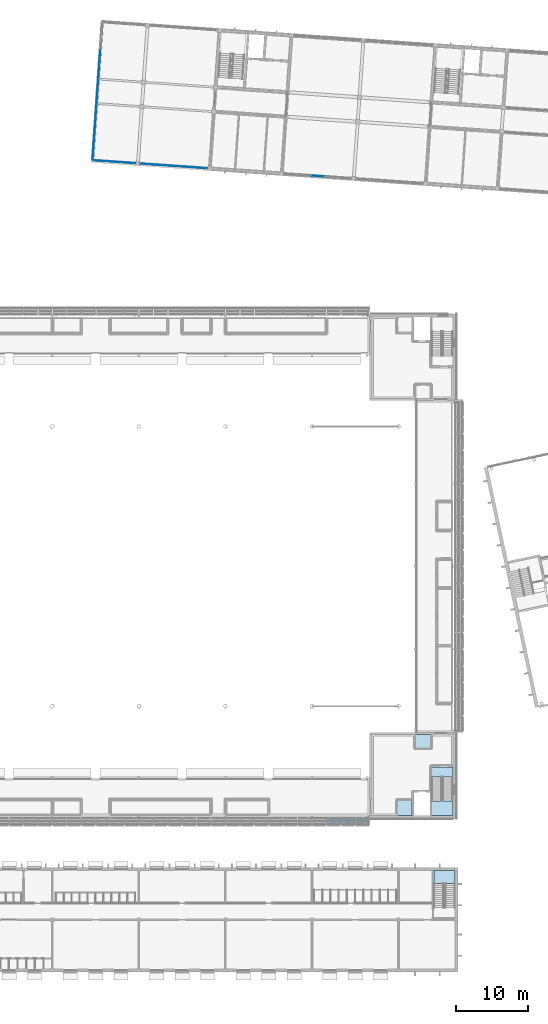
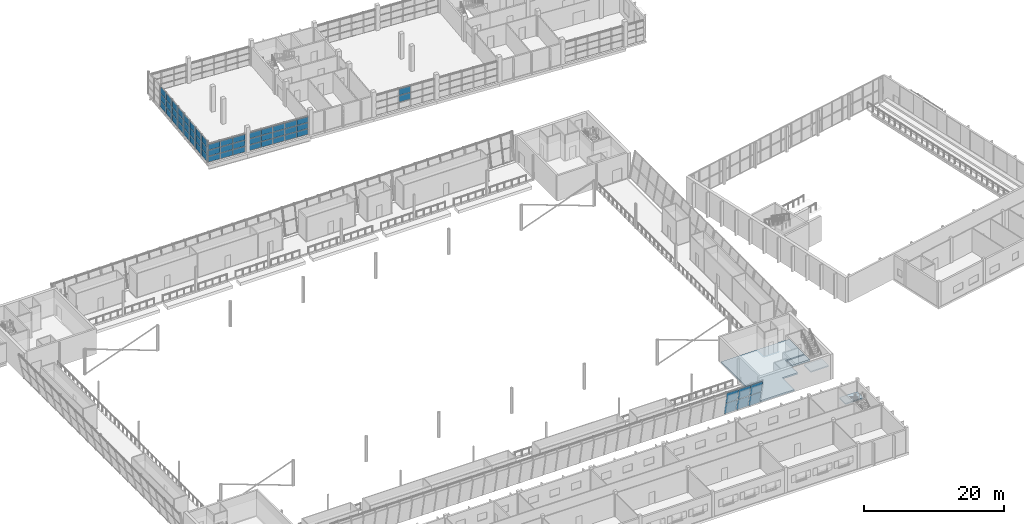
# One storey, part 54 of 115: 56 plates, 4 slabs, 7 elements without a shape of their own.
"""IFC4 building model written with IfcOpenShell, lengths in metres."""

from ifc_helpers import new_model, si_unit, direction, frame, origin, origin_2d, place, context, subcontext, project, spatial, polyline, rectangle, outline, extrude, material, layer, layer_set, type_object, element, aggregate, save


model = new_model("IFC4")

# Units and contexts
model_context = context("Model", 3, precision=1e-05, world=origin(), true_north=direction((0.0, 1.0)))
body_context = subcontext(model_context, "Body", "Model", "MODEL_VIEW")
ifc_project = project(units=[si_unit("LENGTHUNIT", "METRE"), si_unit("AREAUNIT", "SQUARE_METRE"), si_unit("VOLUMEUNIT", "CUBIC_METRE"), si_unit("PLANEANGLEUNIT", "RADIAN"), si_unit("MASSUNIT", "GRAM", prefix="KILO")], contexts=[model_context])

# Site, building, storey
site_placement = place(None, origin())
site = spatial("IfcSite", under=ifc_project, at=site_placement, CompositionType="ELEMENT")
building_placement = place(site_placement, origin())
building = spatial("IfcBuilding", under=site, at=building_placement, Name="Windward Yard Aquatics Centre", CompositionType="ELEMENT")
storey_placement = place(building_placement, frame((0.0, 0.0, 5.0)))
storey = spatial("IfcBuildingStorey", under=building, at=storey_placement, Name="L01", CompositionType="ELEMENT", Elevation=5.0)

# Stair, slab
ifc_material_1 = material(Name="Concrete C35/45", Category="concrete")
stair_type_1 = type_object("IfcStairType", Name="C Village stair 2 dog-leg stair", PredefinedType="HALF_TURN_STAIR", material=ifc_material_1)
stair_1_placement = place(storey_placement, origin())
stair_1 = element("IfcStair", 1, at=stair_1_placement, inside=storey, type_object=stair_type_1, Name="L01 Village stair 2", PredefinedType="HALF_TURN_STAIR")
ifc_layer_1 = layer(ifc_material_1, 0.199951171875)
ifc_layer_set_1 = layer_set([ifc_layer_1], Name="C Village stair 2 stair landing 200")
slab_type_1 = type_object("IfcSlabType", Name="C Village stair 2 stair landing 200", PredefinedType="LANDING", material=ifc_layer_set_1)
slab_1_placement = place(storey_placement, frame((0.0, 0.0, 2.0)))
slab_1 = element("IfcSlab", 2, at=slab_1_placement, type_object=slab_type_1, Name="C-ST2 landing 1", PredefinedType="LANDING", context=body_context, shape_type="SweptSolid", body=[
    extrude(outline(polyline([(148.89990234375, 17.050048828125), (151.85009765625, 17.050048828125), (151.85009765625, 18.800048828125), (148.89990234375, 18.800048828125), (148.89990234375, 17.050048828125)])), origin(), (0.0, 0.0, 1.0), 0.199951171875),
])
aggregate(stair_1, [slab_1])

# Slabs
ifc_layer_2 = layer(ifc_material_1, 0.25)
ifc_layer_set_2 = layer_set([ifc_layer_2], Name="H Core Floor Concrete C35/45 250")
slab_type_2 = type_object("IfcSlabType", Name="H Core Floor Concrete C35/45 250", PredefinedType="FLOOR", material=ifc_layer_set_2)
slab_2_placement = place(storey_placement, frame((0.0, 0.0, -0.25)))
element("IfcSlab", 3, at=slab_2_placement, inside=storey, type_object=slab_type_2, Name="L01 core floor SE", PredefinedType="FLOOR", context=body_context, shape_type="SweptSolid", body=[
    extrude(outline(polyline([(140.300048828125, 26.449951171875), (145.89990234375, 26.449951171875), (145.89990234375, 29.85009765625), (148.39990234375, 29.85009765625), (148.39990234375, 33.39990234375), (151.550048828125, 33.39990234375), (151.550048828125, 37.699951171875), (140.300048828125, 37.699951171875), (140.300048828125, 26.449951171875)])), origin(), (0.0, 0.0, 1.0), 0.25),
])
slab_3_placement = place(storey_placement, frame((0.0, 0.0, -0.25)))
element("IfcSlab", 4, at=slab_3_placement, inside=storey, type_object=slab_type_2, Name="L01 stair floor landing SE", PredefinedType="FLOOR", context=body_context, shape_type="SweptSolid", body=[
    extrude(outline(polyline([(148.60009765625, 31.800048828125), (151.550048828125, 31.800048828125), (151.550048828125, 33.199951171875), (148.60009765625, 33.199951171875), (148.60009765625, 31.800048828125)])), origin(), (0.0, 0.0, 1.0), 0.25),
])

# Stair, slab
stair_type_2 = type_object("IfcStairType", Name="H Core Stair Concrete C35/45 1400", PredefinedType="HALF_TURN_STAIR", material=ifc_material_1)
stair_2_placement = place(storey_placement, origin())
stair_2 = element("IfcStair", 5, at=stair_2_placement, inside=storey, type_object=stair_type_2, Name="L01 Stair SE", PredefinedType="HALF_TURN_STAIR")
ifc_layer_3 = layer(ifc_material_1, 0.199951171875)
ifc_layer_set_3 = layer_set([ifc_layer_3], Name="H Stair Landing Concrete C35/45 200")
slab_type_3 = type_object("IfcSlabType", Name="H Stair Landing Concrete C35/45 200", PredefinedType="LANDING", material=ifc_layer_set_3)
slab_4_placement = place(storey_placement, frame((0.0, 0.0, 2.0)))
slab_4 = element("IfcSlab", 6, at=slab_4_placement, type_object=slab_type_3, Name="ST2 landing 1", PredefinedType="LANDING", context=body_context, shape_type="SweptSolid", body=[
    extrude(outline(polyline([(148.60009765625, 26.449951171875), (151.550048828125, 26.449951171875), (151.550048828125, 28.43994140625), (148.60009765625, 28.43994140625), (148.60009765625, 26.449951171875)])), origin(), (0.0, 0.0, 1.0), 0.199951171875),
])
aggregate(stair_2, [slab_4])

# Curtain wall, plates
ifc_material_2 = material(Name="Glass and aluminium curtain wall", Category="aluminium")
ifc_layer_4 = layer(ifc_material_2, 0.179931640625)
ifc_layer_set_4 = layer_set([ifc_layer_4], Name="H curtain wall tier 1 double glazed 8+16+8")
curtain_wall_type_1 = type_object("IfcCurtainWallType", Name="H curtain wall tier 1 double glazed 8+16+8", PredefinedType="NOTDEFINED", material=ifc_layer_set_4)
curtain_wall_1_placement = place(storey_placement, origin())
curtain_wall_1 = element("IfcCurtainWall", 7, at=curtain_wall_1_placement, inside=storey, type_object=curtain_wall_type_1, Name="Tier 1 glazing S L01", PredefinedType="NOTDEFINED")
ifc_material_3 = material(Name="Low-iron glass", Category="glass")
ifc_layer_5 = layer(ifc_material_3, 0.008, Name="Outer pane")
ifc_material_4 = material(Name="Argon-filled cavity")
ifc_layer_6 = layer(ifc_material_4, 0.016, Name="Cavity")
ifc_layer_7 = layer(ifc_material_3, 0.008, Name="Inner pane")
ifc_layer_set_5 = layer_set([ifc_layer_5, ifc_layer_6, ifc_layer_7], Name="H tier 1 glass low-e double glazed unit 32")
plate_type_1 = type_object("IfcPlateType", Name="H tier 1 glass low-e double glazed unit 32", PredefinedType="CURTAIN_PANEL", material=ifc_layer_set_5)
plate_1_placement = place(storey_placement, frame((134.033203125, 25.669921875, 2.154296875), z_axis=(0.0, 0.979937049238, 0.19930724907), x_axis=(0.0, 0.19930724907, -0.979937049238)))
plate_1 = element("IfcPlate", 8, at=plate_1_placement, type_object=plate_type_1, Name="G1SB panel 17.1", PredefinedType="CURTAIN_PANEL", context=body_context, shape_type="SweptSolid", body=[
    extrude(outline(polyline([(0.0, 0.0), (2.088533, 0.0), (2.088533, -1.934814), (0.0, -1.934814), (0.0, 0.0)])), origin(), (0.0, 0.0, -1.0), 0.031982421875),
])
plate_2_placement = place(storey_placement, frame((134.033203125, 25.232177734375, 4.30517578125), z_axis=(0.0, 0.979920842931, 0.199386914289), x_axis=(0.0, 0.199386914289, -0.979920842931)))
plate_2 = element("IfcPlate", 9, at=plate_2_placement, type_object=plate_type_1, Name="G1SB panel 17.2", PredefinedType="CURTAIN_PANEL", context=body_context, shape_type="SweptSolid", body=[
    extrude(outline(polyline([(0.0, 0.0), (2.095045, 0.0), (2.095045, -1.934814), (0.0, -1.934814), (0.0, 0.0)])), origin(), (0.0, 0.0, -1.0), 0.031982421875),
])
plate_3_placement = place(storey_placement, frame((136.032958984375, 25.669921875, 2.154296875), z_axis=(0.0, 0.979937049238, 0.19930724907), x_axis=(0.0, 0.19930724907, -0.979937049238)))
plate_3 = element("IfcPlate", 10, at=plate_3_placement, type_object=plate_type_1, Name="G1SB panel 18.1", PredefinedType="CURTAIN_PANEL", context=body_context, shape_type="SweptSolid", body=[
    extrude(outline(polyline([(0.0, 0.0), (2.088533, 0.0), (2.088533, -1.934814), (0.0, -1.934814), (0.0, 0.0)])), origin(), (0.0, 0.0, -1.0), 0.031982421875),
])
plate_4_placement = place(storey_placement, frame((136.032958984375, 25.232177734375, 4.30517578125), z_axis=(0.0, 0.979920842931, 0.199386914289), x_axis=(0.0, 0.199386914289, -0.979920842931)))
plate_4 = element("IfcPlate", 11, at=plate_4_placement, type_object=plate_type_1, Name="G1SB panel 18.2", PredefinedType="CURTAIN_PANEL", context=body_context, shape_type="SweptSolid", body=[
    extrude(outline(polyline([(0.0, 0.0), (2.095045, 0.0), (2.095045, -1.934814), (0.0, -1.934814), (0.0, 0.0)])), origin(), (0.0, 0.0, -1.0), 0.031982421875),
])
plate_5_placement = place(storey_placement, frame((138.03271484375, 25.669921875, 2.154296875), z_axis=(0.0, 0.979937049238, 0.19930724907), x_axis=(0.0, 0.19930724907, -0.979937049238)))
plate_5 = element("IfcPlate", 12, at=plate_5_placement, type_object=plate_type_1, Name="G1SB panel 19.1", PredefinedType="CURTAIN_PANEL", context=body_context, shape_type="SweptSolid", body=[
    extrude(outline(polyline([(0.0, 0.0), (2.088533, 0.0), (2.088533, -1.902344), (0.0, -1.902344), (0.0, 0.0)])), origin(), (0.0, 0.0, -1.0), 0.031982421875),
])
plate_6_placement = place(storey_placement, frame((138.03271484375, 25.232177734375, 4.30517578125), z_axis=(0.0, 0.979920842931, 0.199386914289), x_axis=(0.0, 0.199386914289, -0.979920842931)))
plate_6 = element("IfcPlate", 13, at=plate_6_placement, type_object=plate_type_1, Name="G1SB panel 19.2", PredefinedType="CURTAIN_PANEL", context=body_context, shape_type="SweptSolid", body=[
    extrude(outline(polyline([(0.0, 0.0), (2.095045, 0.0), (2.095045, -1.902344), (0.0, -1.902344), (0.0, 0.0)])), origin(), (0.0, 0.0, -1.0), 0.031982421875),
])
aggregate(curtain_wall_1, [plate_1, plate_2, plate_3, plate_4, plate_5, plate_6])

ifc_material_5 = material(Name="Aluminium curtain wall system", Category="aluminium")
curtain_wall_type_2 = type_object("IfcCurtainWallType", Name="W curtain wall 1900", PredefinedType="NOTDEFINED", material=ifc_material_5)
curtain_wall_2_placement = place(storey_placement, origin())
curtain_wall_2 = element("IfcCurtainWall", 14, at=curtain_wall_2_placement, inside=storey, type_object=curtain_wall_type_2, Name="Wing south glazing L01 1", PredefinedType="NOTDEFINED")
ifc_material_6 = material(Name="Double glazed unit")
ifc_layer_8 = layer(ifc_material_6, 0.028076171875)
ifc_layer_set_6 = layer_set([ifc_layer_8], Name="W CW panel IGU 28")
plate_type_2 = type_object("IfcPlateType", Name="W CW panel IGU 28", PredefinedType="CURTAIN_PANEL", material=ifc_layer_set_6)
plate_7_placement = place(storey_placement, frame((102.591064453125, 117.23388671875, 0.06005859375), z_axis=(0.0, 0.0, 1.0), x_axis=(0.997563353653, -0.069766434969, 0.0)))
plate_7 = element("IfcPlate", 15, at=plate_7_placement, type_object=plate_type_2, Name="WCW1 panel 1.1", PredefinedType="CURTAIN_PANEL", context=body_context, shape_type="SweptSolid", body=[
    extrude(rectangle(XDim=1.909912109375, YDim=0.028076171875, at=origin_2d()), origin(), (0.0, 0.0, 1.0), 0.978759765625),
])
plate_8_placement = place(storey_placement, frame((102.591064453125, 117.23388671875, 1.0986328125), z_axis=(0.0, 0.0, 1.0), x_axis=(0.997563353653, -0.069766434969, 0.0)))
plate_8 = element("IfcPlate", 16, at=plate_8_placement, type_object=plate_type_2, Name="WCW1 panel 1.2", PredefinedType="CURTAIN_PANEL", context=body_context, shape_type="SweptSolid", body=[
    extrude(rectangle(XDim=1.909912109375, YDim=0.028076171875, at=origin_2d()), origin(), (0.0, 0.0, 1.0), 1.008544921875),
])
plate_9_placement = place(storey_placement, frame((102.591064453125, 117.23388671875, 2.16748046875), z_axis=(0.0, 0.0, 1.0), x_axis=(0.997563353653, -0.069766434969, 0.0)))
plate_9 = element("IfcPlate", 17, at=plate_9_placement, type_object=plate_type_2, Name="WCW1 panel 1.3", PredefinedType="CURTAIN_PANEL", context=body_context, shape_type="SweptSolid", body=[
    extrude(rectangle(XDim=1.909912109375, YDim=0.028076171875, at=origin_2d()), origin(), (0.0, 0.0, 1.0), 0.978759765625),
])
plate_10_placement = place(storey_placement, frame((104.5712890625, 117.09521484375, 0.06005859375), z_axis=(0.0, 0.0, 1.0), x_axis=(0.997563353653, -0.069766434969, 0.0)))
plate_10 = element("IfcPlate", 18, at=plate_10_placement, type_object=plate_type_2, Name="WCW1 panel 2.1", PredefinedType="CURTAIN_PANEL", context=body_context, shape_type="SweptSolid", body=[
    extrude(rectangle(XDim=1.93994140625, YDim=0.028076171875, at=origin_2d()), origin(), (0.0, 0.0, 1.0), 0.978759765625),
])
plate_11_placement = place(storey_placement, frame((104.5712890625, 117.09521484375, 1.0986328125), z_axis=(0.0, 0.0, 1.0), x_axis=(0.997563353653, -0.069766434969, 0.0)))
plate_11 = element("IfcPlate", 19, at=plate_11_placement, type_object=plate_type_2, Name="WCW1 panel 2.2", PredefinedType="CURTAIN_PANEL", context=body_context, shape_type="SweptSolid", body=[
    extrude(rectangle(XDim=1.93994140625, YDim=0.028076171875, at=origin_2d()), origin(), (0.0, 0.0, 1.0), 1.008544921875),
])
plate_12_placement = place(storey_placement, frame((104.5712890625, 117.09521484375, 2.16748046875), z_axis=(0.0, 0.0, 1.0), x_axis=(0.997563353653, -0.069766434969, 0.0)))
plate_12 = element("IfcPlate", 20, at=plate_12_placement, type_object=plate_type_2, Name="WCW1 panel 2.3", PredefinedType="CURTAIN_PANEL", context=body_context, shape_type="SweptSolid", body=[
    extrude(rectangle(XDim=1.93994140625, YDim=0.028076171875, at=origin_2d()), origin(), (0.0, 0.0, 1.0), 0.978759765625),
])
plate_13_placement = place(storey_placement, frame((106.551513671875, 116.956787109375, 0.06005859375), z_axis=(0.0, 0.0, 1.0), x_axis=(0.997563353653, -0.069766434969, 0.0)))
plate_13 = element("IfcPlate", 21, at=plate_13_placement, type_object=plate_type_2, Name="WCW1 panel 3.1", PredefinedType="CURTAIN_PANEL", context=body_context, shape_type="SweptSolid", body=[
    extrude(rectangle(XDim=1.909912109375, YDim=0.028076171875, at=origin_2d()), origin(), (0.0, 0.0, 1.0), 0.978759765625),
])
plate_14_placement = place(storey_placement, frame((106.551513671875, 116.956787109375, 1.0986328125), z_axis=(0.0, 0.0, 1.0), x_axis=(0.997563353653, -0.069766434969, 0.0)))
plate_14 = element("IfcPlate", 22, at=plate_14_placement, type_object=plate_type_2, Name="WCW1 panel 3.2", PredefinedType="CURTAIN_PANEL", context=body_context, shape_type="SweptSolid", body=[
    extrude(rectangle(XDim=1.909912109375, YDim=0.028076171875, at=origin_2d()), origin(), (0.0, 0.0, 1.0), 1.008544921875),
])
plate_15_placement = place(storey_placement, frame((106.551513671875, 116.956787109375, 2.16748046875), z_axis=(0.0, 0.0, 1.0), x_axis=(0.997563353653, -0.069766434969, 0.0)))
plate_15 = element("IfcPlate", 23, at=plate_15_placement, type_object=plate_type_2, Name="WCW1 panel 3.3", PredefinedType="CURTAIN_PANEL", context=body_context, shape_type="SweptSolid", body=[
    extrude(rectangle(XDim=1.909912109375, YDim=0.028076171875, at=origin_2d()), origin(), (0.0, 0.0, 1.0), 0.978759765625),
])
aggregate(curtain_wall_2, [plate_7, plate_8, plate_9, plate_10, plate_11, plate_12, plate_13, plate_14, plate_15])

curtain_wall_3_placement = place(storey_placement, origin())
curtain_wall_3 = element("IfcCurtainWall", 24, at=curtain_wall_3_placement, inside=storey, type_object=curtain_wall_type_2, Name="Wing south glazing L01 2", PredefinedType="NOTDEFINED")
plate_16_placement = place(storey_placement, frame((109.115234375, 116.777587890625, 0.06005859375), z_axis=(0.0, 0.0, 1.0), x_axis=(0.997564129531, -0.069755340111, 0.0)))
plate_16 = element("IfcPlate", 25, at=plate_16_placement, type_object=plate_type_2, Name="WCW1 panel 1.1", PredefinedType="CURTAIN_PANEL", context=body_context, shape_type="SweptSolid", body=[
    extrude(rectangle(XDim=1.7900390625, YDim=0.028076171875, at=origin_2d()), origin(), (0.0, 0.0, 1.0), 0.978759765625),
])
plate_17_placement = place(storey_placement, frame((109.115234375, 116.777587890625, 1.0986328125), z_axis=(0.0, 0.0, 1.0), x_axis=(0.997564129531, -0.069755340111, 0.0)))
plate_17 = element("IfcPlate", 26, at=plate_17_placement, type_object=plate_type_2, Name="WCW1 panel 1.2", PredefinedType="CURTAIN_PANEL", context=body_context, shape_type="SweptSolid", body=[
    extrude(rectangle(XDim=1.7900390625, YDim=0.028076171875, at=origin_2d()), origin(), (0.0, 0.0, 1.0), 1.008544921875),
])
plate_18_placement = place(storey_placement, frame((109.115234375, 116.777587890625, 2.16748046875), z_axis=(0.0, 0.0, 1.0), x_axis=(0.997564129531, -0.069755340111, 0.0)))
plate_18 = element("IfcPlate", 27, at=plate_18_placement, type_object=plate_type_2, Name="WCW1 panel 1.3", PredefinedType="CURTAIN_PANEL", context=body_context, shape_type="SweptSolid", body=[
    extrude(rectangle(XDim=1.7900390625, YDim=0.028076171875, at=origin_2d()), origin(), (0.0, 0.0, 1.0), 0.978759765625),
])
plate_19_placement = place(storey_placement, frame((110.9755859375, 116.6474609375, 0.06005859375), z_axis=(0.0, 0.0, 1.0), x_axis=(0.997564129531, -0.069755340111, 0.0)))
plate_19 = element("IfcPlate", 28, at=plate_19_placement, type_object=plate_type_2, Name="WCW1 panel 2.1", PredefinedType="CURTAIN_PANEL", context=body_context, shape_type="SweptSolid", body=[
    extrude(rectangle(XDim=1.820068359375, YDim=0.028076171875, at=origin_2d()), origin(), (0.0, 0.0, 1.0), 0.978759765625),
])
plate_20_placement = place(storey_placement, frame((110.9755859375, 116.6474609375, 1.0986328125), z_axis=(0.0, 0.0, 1.0), x_axis=(0.997564129531, -0.069755340111, 0.0)))
plate_20 = element("IfcPlate", 29, at=plate_20_placement, type_object=plate_type_2, Name="WCW1 panel 2.2", PredefinedType="CURTAIN_PANEL", context=body_context, shape_type="SweptSolid", body=[
    extrude(rectangle(XDim=1.820068359375, YDim=0.028076171875, at=origin_2d()), origin(), (0.0, 0.0, 1.0), 1.008544921875),
])
plate_21_placement = place(storey_placement, frame((110.9755859375, 116.6474609375, 2.16748046875), z_axis=(0.0, 0.0, 1.0), x_axis=(0.997564129531, -0.069755340111, 0.0)))
plate_21 = element("IfcPlate", 30, at=plate_21_placement, type_object=plate_type_2, Name="WCW1 panel 2.3", PredefinedType="CURTAIN_PANEL", context=body_context, shape_type="SweptSolid", body=[
    extrude(rectangle(XDim=1.820068359375, YDim=0.028076171875, at=origin_2d()), origin(), (0.0, 0.0, 1.0), 0.978759765625),
])
plate_22_placement = place(storey_placement, frame((112.85107421875, 116.516357421875, 0.06005859375), z_axis=(0.0, 0.0, 1.0), x_axis=(0.997564129531, -0.069755340111, 0.0)))
plate_22 = element("IfcPlate", 31, at=plate_22_placement, type_object=plate_type_2, Name="WCW1 panel 3.1", PredefinedType="CURTAIN_PANEL", context=body_context, shape_type="SweptSolid", body=[
    extrude(rectangle(XDim=1.820068359375, YDim=0.028076171875, at=origin_2d()), origin(), (0.0, 0.0, 1.0), 0.978759765625),
])
plate_23_placement = place(storey_placement, frame((112.85107421875, 116.516357421875, 1.0986328125), z_axis=(0.0, 0.0, 1.0), x_axis=(0.997564129531, -0.069755340111, 0.0)))
plate_23 = element("IfcPlate", 32, at=plate_23_placement, type_object=plate_type_2, Name="WCW1 panel 3.2", PredefinedType="CURTAIN_PANEL", context=body_context, shape_type="SweptSolid", body=[
    extrude(rectangle(XDim=1.820068359375, YDim=0.028076171875, at=origin_2d()), origin(), (0.0, 0.0, 1.0), 1.008544921875),
])
plate_24_placement = place(storey_placement, frame((112.85107421875, 116.516357421875, 2.16748046875), z_axis=(0.0, 0.0, 1.0), x_axis=(0.997564129531, -0.069755340111, 0.0)))
plate_24 = element("IfcPlate", 33, at=plate_24_placement, type_object=plate_type_2, Name="WCW1 panel 3.3", PredefinedType="CURTAIN_PANEL", context=body_context, shape_type="SweptSolid", body=[
    extrude(rectangle(XDim=1.820068359375, YDim=0.028076171875, at=origin_2d()), origin(), (0.0, 0.0, 1.0), 0.978759765625),
])
plate_25_placement = place(storey_placement, frame((114.7265625, 116.38525390625, 0.06005859375), z_axis=(0.0, 0.0, 1.0), x_axis=(0.997564129531, -0.069755340111, 0.0)))
plate_25 = element("IfcPlate", 34, at=plate_25_placement, type_object=plate_type_2, Name="WCW1 panel 4.1", PredefinedType="CURTAIN_PANEL", context=body_context, shape_type="SweptSolid", body=[
    extrude(rectangle(XDim=1.820068359375, YDim=0.028076171875, at=origin_2d()), origin(), (0.0, 0.0, 1.0), 0.978759765625),
])
plate_26_placement = place(storey_placement, frame((114.7265625, 116.38525390625, 1.0986328125), z_axis=(0.0, 0.0, 1.0), x_axis=(0.997564129531, -0.069755340111, 0.0)))
plate_26 = element("IfcPlate", 35, at=plate_26_placement, type_object=plate_type_2, Name="WCW1 panel 4.2", PredefinedType="CURTAIN_PANEL", context=body_context, shape_type="SweptSolid", body=[
    extrude(rectangle(XDim=1.820068359375, YDim=0.028076171875, at=origin_2d()), origin(), (0.0, 0.0, 1.0), 1.008544921875),
])
plate_27_placement = place(storey_placement, frame((114.7265625, 116.38525390625, 2.16748046875), z_axis=(0.0, 0.0, 1.0), x_axis=(0.997564129531, -0.069755340111, 0.0)))
plate_27 = element("IfcPlate", 36, at=plate_27_placement, type_object=plate_type_2, Name="WCW1 panel 4.3", PredefinedType="CURTAIN_PANEL", context=body_context, shape_type="SweptSolid", body=[
    extrude(rectangle(XDim=1.820068359375, YDim=0.028076171875, at=origin_2d()), origin(), (0.0, 0.0, 1.0), 0.978759765625),
])
plate_28_placement = place(storey_placement, frame((116.5869140625, 116.255126953125, 0.06005859375), z_axis=(0.0, 0.0, 1.0), x_axis=(0.997564129531, -0.069755340111, 0.0)))
plate_28 = element("IfcPlate", 37, at=plate_28_placement, type_object=plate_type_2, Name="WCW1 panel 5.1", PredefinedType="CURTAIN_PANEL", context=body_context, shape_type="SweptSolid", body=[
    extrude(rectangle(XDim=1.7900390625, YDim=0.028076171875, at=origin_2d()), origin(), (0.0, 0.0, 1.0), 0.978759765625),
])
plate_29_placement = place(storey_placement, frame((116.5869140625, 116.255126953125, 1.0986328125), z_axis=(0.0, 0.0, 1.0), x_axis=(0.997564129531, -0.069755340111, 0.0)))
plate_29 = element("IfcPlate", 38, at=plate_29_placement, type_object=plate_type_2, Name="WCW1 panel 5.2", PredefinedType="CURTAIN_PANEL", context=body_context, shape_type="SweptSolid", body=[
    extrude(rectangle(XDim=1.7900390625, YDim=0.028076171875, at=origin_2d()), origin(), (0.0, 0.0, 1.0), 1.008544921875),
])
plate_30_placement = place(storey_placement, frame((116.5869140625, 116.255126953125, 2.16748046875), z_axis=(0.0, 0.0, 1.0), x_axis=(0.997564129531, -0.069755340111, 0.0)))
plate_30 = element("IfcPlate", 39, at=plate_30_placement, type_object=plate_type_2, Name="WCW1 panel 5.3", PredefinedType="CURTAIN_PANEL", context=body_context, shape_type="SweptSolid", body=[
    extrude(rectangle(XDim=1.7900390625, YDim=0.028076171875, at=origin_2d()), origin(), (0.0, 0.0, 1.0), 0.978759765625),
])
aggregate(curtain_wall_3, [plate_16, plate_17, plate_18, plate_19, plate_20, plate_21, plate_22, plate_23, plate_24, plate_25, plate_26, plate_27, plate_28, plate_29, plate_30])

curtain_wall_4_placement = place(storey_placement, origin())
curtain_wall_4 = element("IfcCurtainWall", 40, at=curtain_wall_4_placement, inside=storey, type_object=curtain_wall_type_2, Name="Wing south glazing L01 3", PredefinedType="NOTDEFINED")
plate_31_placement = place(storey_placement, frame((132.80224609375, 115.12109375, 1.219970703125), z_axis=(0.0, 0.0, 1.0), x_axis=(0.997564129531, -0.069755340111, 0.0)))
plate_31 = element("IfcPlate", 41, at=plate_31_placement, type_object=plate_type_2, Name="WCW1 panel 3.2", PredefinedType="CURTAIN_PANEL", context=body_context, shape_type="SweptSolid", body=[
    extrude(rectangle(XDim=1.820068359375, YDim=0.028076171875, at=origin_2d()), origin(), (0.0, 0.0, 1.0), 1.1298828125),
])
plate_32_placement = place(storey_placement, frame((132.80224609375, 115.12109375, 2.409912109375), z_axis=(0.0, 0.0, 1.0), x_axis=(0.997564129531, -0.069755340111, 0.0)))
plate_32 = element("IfcPlate", 42, at=plate_32_placement, type_object=plate_type_2, Name="WCW1 panel 3.3", PredefinedType="CURTAIN_PANEL", context=body_context, shape_type="SweptSolid", body=[
    extrude(rectangle(XDim=1.820068359375, YDim=0.028076171875, at=origin_2d()), origin(), (0.0, 0.0, 1.0), 1.10009765625),
])
aggregate(curtain_wall_4, [plate_31, plate_32])

curtain_wall_5_placement = place(storey_placement, origin())
curtain_wall_5 = element("IfcCurtainWall", 43, at=curtain_wall_5_placement, inside=storey, type_object=curtain_wall_type_2, Name="Wing west glazing L01 1", PredefinedType="NOTDEFINED")
plate_33_placement = place(storey_placement, frame((101.646728515625, 118.27734375, 0.06005859375), z_axis=(0.0, 0.0, 1.0), x_axis=(0.069755322369, 0.997564130771, 0.0)))
plate_33 = element("IfcPlate", 44, at=plate_33_placement, type_object=plate_type_2, Name="WCW1 panel 1.1", PredefinedType="CURTAIN_PANEL", context=body_context, shape_type="SweptSolid", body=[
    extrude(rectangle(XDim=1.830078125, YDim=0.028076171875, at=origin_2d()), origin(), (0.0, 0.0, 1.0), 1.144287109375),
])
plate_34_placement = place(storey_placement, frame((101.646728515625, 118.27734375, 1.264404296875), z_axis=(0.0, 0.0, 1.0), x_axis=(0.069755322369, 0.997564130771, 0.0)))
plate_34 = element("IfcPlate", 45, at=plate_34_placement, type_object=plate_type_2, Name="WCW1 panel 1.2", PredefinedType="CURTAIN_PANEL", context=body_context, shape_type="SweptSolid", body=[
    extrude(rectangle(XDim=1.830078125, YDim=0.028076171875, at=origin_2d()), origin(), (0.0, 0.0, 1.0), 1.17431640625),
])
plate_35_placement = place(storey_placement, frame((101.646728515625, 118.27734375, 2.49853515625), z_axis=(0.0, 0.0, 1.0), x_axis=(0.069755322369, 0.997564130771, 0.0)))
plate_35 = element("IfcPlate", 46, at=plate_35_placement, type_object=plate_type_2, Name="WCW1 panel 1.3", PredefinedType="CURTAIN_PANEL", context=body_context, shape_type="SweptSolid", body=[
    extrude(rectangle(XDim=1.830078125, YDim=0.028076171875, at=origin_2d()), origin(), (0.0, 0.0, 1.0), 1.144287109375),
])
plate_36_placement = place(storey_placement, frame((101.779541015625, 120.177490234375, 0.06005859375), z_axis=(0.0, 0.0, 1.0), x_axis=(0.069755322369, 0.997564130771, 0.0)))
plate_36 = element("IfcPlate", 47, at=plate_36_placement, type_object=plate_type_2, Name="WCW1 panel 2.1", PredefinedType="CURTAIN_PANEL", context=body_context, shape_type="SweptSolid", body=[
    extrude(rectangle(XDim=1.860107421875, YDim=0.028076171875, at=origin_2d()), origin(), (0.0, 0.0, 1.0), 1.144287109375),
])
plate_37_placement = place(storey_placement, frame((101.779541015625, 120.177490234375, 1.264404296875), z_axis=(0.0, 0.0, 1.0), x_axis=(0.069755322369, 0.997564130771, 0.0)))
plate_37 = element("IfcPlate", 48, at=plate_37_placement, type_object=plate_type_2, Name="WCW1 panel 2.2", PredefinedType="CURTAIN_PANEL", context=body_context, shape_type="SweptSolid", body=[
    extrude(rectangle(XDim=1.860107421875, YDim=0.028076171875, at=origin_2d()), origin(), (0.0, 0.0, 1.0), 1.17431640625),
])
plate_38_placement = place(storey_placement, frame((101.779541015625, 120.177490234375, 2.49853515625), z_axis=(0.0, 0.0, 1.0), x_axis=(0.069755322369, 0.997564130771, 0.0)))
plate_38 = element("IfcPlate", 49, at=plate_38_placement, type_object=plate_type_2, Name="WCW1 panel 2.3", PredefinedType="CURTAIN_PANEL", context=body_context, shape_type="SweptSolid", body=[
    extrude(rectangle(XDim=1.860107421875, YDim=0.028076171875, at=origin_2d()), origin(), (0.0, 0.0, 1.0), 1.144287109375),
])
plate_39_placement = place(storey_placement, frame((101.913330078125, 122.093017578125, 0.06005859375), z_axis=(0.0, 0.0, 1.0), x_axis=(0.069755322369, 0.997564130771, 0.0)))
plate_39 = element("IfcPlate", 50, at=plate_39_placement, type_object=plate_type_2, Name="WCW1 panel 3.1", PredefinedType="CURTAIN_PANEL", context=body_context, shape_type="SweptSolid", body=[
    extrude(rectangle(XDim=1.860107421875, YDim=0.028076171875, at=origin_2d()), origin(), (0.0, 0.0, 1.0), 1.144287109375),
])
plate_40_placement = place(storey_placement, frame((101.913330078125, 122.093017578125, 1.264404296875), z_axis=(0.0, 0.0, 1.0), x_axis=(0.069755322369, 0.997564130771, 0.0)))
plate_40 = element("IfcPlate", 51, at=plate_40_placement, type_object=plate_type_2, Name="WCW1 panel 3.2", PredefinedType="CURTAIN_PANEL", context=body_context, shape_type="SweptSolid", body=[
    extrude(rectangle(XDim=1.860107421875, YDim=0.028076171875, at=origin_2d()), origin(), (0.0, 0.0, 1.0), 1.17431640625),
])
plate_41_placement = place(storey_placement, frame((101.913330078125, 122.093017578125, 2.49853515625), z_axis=(0.0, 0.0, 1.0), x_axis=(0.069755322369, 0.997564130771, 0.0)))
plate_41 = element("IfcPlate", 52, at=plate_41_placement, type_object=plate_type_2, Name="WCW1 panel 3.3", PredefinedType="CURTAIN_PANEL", context=body_context, shape_type="SweptSolid", body=[
    extrude(rectangle(XDim=1.860107421875, YDim=0.028076171875, at=origin_2d()), origin(), (0.0, 0.0, 1.0), 1.144287109375),
])
plate_42_placement = place(storey_placement, frame((102.04736328125, 124.00830078125, 0.06005859375), z_axis=(0.0, 0.0, 1.0), x_axis=(0.069755322369, 0.997564130771, 0.0)))
plate_42 = element("IfcPlate", 53, at=plate_42_placement, type_object=plate_type_2, Name="WCW1 panel 4.1", PredefinedType="CURTAIN_PANEL", context=body_context, shape_type="SweptSolid", body=[
    extrude(rectangle(XDim=1.860107421875, YDim=0.028076171875, at=origin_2d()), origin(), (0.0, 0.0, 1.0), 1.144287109375),
])
plate_43_placement = place(storey_placement, frame((102.04736328125, 124.00830078125, 1.264404296875), z_axis=(0.0, 0.0, 1.0), x_axis=(0.069755322369, 0.997564130771, 0.0)))
plate_43 = element("IfcPlate", 54, at=plate_43_placement, type_object=plate_type_2, Name="WCW1 panel 4.2", PredefinedType="CURTAIN_PANEL", context=body_context, shape_type="SweptSolid", body=[
    extrude(rectangle(XDim=1.860107421875, YDim=0.028076171875, at=origin_2d()), origin(), (0.0, 0.0, 1.0), 1.17431640625),
])
plate_44_placement = place(storey_placement, frame((102.04736328125, 124.00830078125, 2.49853515625), z_axis=(0.0, 0.0, 1.0), x_axis=(0.069755322369, 0.997564130771, 0.0)))
plate_44 = element("IfcPlate", 55, at=plate_44_placement, type_object=plate_type_2, Name="WCW1 panel 4.3", PredefinedType="CURTAIN_PANEL", context=body_context, shape_type="SweptSolid", body=[
    extrude(rectangle(XDim=1.860107421875, YDim=0.028076171875, at=origin_2d()), origin(), (0.0, 0.0, 1.0), 1.144287109375),
])
plate_45_placement = place(storey_placement, frame((102.181396484375, 125.923583984375, 0.06005859375), z_axis=(0.0, 0.0, 1.0), x_axis=(0.069755322369, 0.997564130771, 0.0)))
plate_45 = element("IfcPlate", 56, at=plate_45_placement, type_object=plate_type_2, Name="WCW1 panel 5.1", PredefinedType="CURTAIN_PANEL", context=body_context, shape_type="SweptSolid", body=[
    extrude(rectangle(XDim=1.860107421875, YDim=0.028076171875, at=origin_2d()), origin(), (0.0, 0.0, 1.0), 1.144287109375),
])
plate_46_placement = place(storey_placement, frame((102.181396484375, 125.923583984375, 1.264404296875), z_axis=(0.0, 0.0, 1.0), x_axis=(0.069755322369, 0.997564130771, 0.0)))
plate_46 = element("IfcPlate", 57, at=plate_46_placement, type_object=plate_type_2, Name="WCW1 panel 5.2", PredefinedType="CURTAIN_PANEL", context=body_context, shape_type="SweptSolid", body=[
    extrude(rectangle(XDim=1.860107421875, YDim=0.028076171875, at=origin_2d()), origin(), (0.0, 0.0, 1.0), 1.17431640625),
])
plate_47_placement = place(storey_placement, frame((102.181396484375, 125.923583984375, 2.49853515625), z_axis=(0.0, 0.0, 1.0), x_axis=(0.069755322369, 0.997564130771, 0.0)))
plate_47 = element("IfcPlate", 58, at=plate_47_placement, type_object=plate_type_2, Name="WCW1 panel 5.3", PredefinedType="CURTAIN_PANEL", context=body_context, shape_type="SweptSolid", body=[
    extrude(rectangle(XDim=1.860107421875, YDim=0.028076171875, at=origin_2d()), origin(), (0.0, 0.0, 1.0), 1.144287109375),
])
plate_48_placement = place(storey_placement, frame((102.315185546875, 127.8388671875, 0.06005859375), z_axis=(0.0, 0.0, 1.0), x_axis=(0.069755322369, 0.997564130771, 0.0)))
plate_48 = element("IfcPlate", 59, at=plate_48_placement, type_object=plate_type_2, Name="WCW1 panel 6.1", PredefinedType="CURTAIN_PANEL", context=body_context, shape_type="SweptSolid", body=[
    extrude(rectangle(XDim=1.860107421875, YDim=0.028076171875, at=origin_2d()), origin(), (0.0, 0.0, 1.0), 1.144287109375),
])
plate_49_placement = place(storey_placement, frame((102.315185546875, 127.8388671875, 1.264404296875), z_axis=(0.0, 0.0, 1.0), x_axis=(0.069755322369, 0.997564130771, 0.0)))
plate_49 = element("IfcPlate", 60, at=plate_49_placement, type_object=plate_type_2, Name="WCW1 panel 6.2", PredefinedType="CURTAIN_PANEL", context=body_context, shape_type="SweptSolid", body=[
    extrude(rectangle(XDim=1.860107421875, YDim=0.028076171875, at=origin_2d()), origin(), (0.0, 0.0, 1.0), 1.17431640625),
])
plate_50_placement = place(storey_placement, frame((102.315185546875, 127.8388671875, 2.49853515625), z_axis=(0.0, 0.0, 1.0), x_axis=(0.069755322369, 0.997564130771, 0.0)))
plate_50 = element("IfcPlate", 61, at=plate_50_placement, type_object=plate_type_2, Name="WCW1 panel 6.3", PredefinedType="CURTAIN_PANEL", context=body_context, shape_type="SweptSolid", body=[
    extrude(rectangle(XDim=1.860107421875, YDim=0.028076171875, at=origin_2d()), origin(), (0.0, 0.0, 1.0), 1.144287109375),
])
plate_51_placement = place(storey_placement, frame((102.44921875, 129.754150390625, 0.06005859375), z_axis=(0.0, 0.0, 1.0), x_axis=(0.069755322369, 0.997564130771, 0.0)))
plate_51 = element("IfcPlate", 62, at=plate_51_placement, type_object=plate_type_2, Name="WCW1 panel 7.1", PredefinedType="CURTAIN_PANEL", context=body_context, shape_type="SweptSolid", body=[
    extrude(rectangle(XDim=1.860107421875, YDim=0.028076171875, at=origin_2d()), origin(), (0.0, 0.0, 1.0), 1.144287109375),
])
plate_52_placement = place(storey_placement, frame((102.44921875, 129.754150390625, 1.264404296875), z_axis=(0.0, 0.0, 1.0), x_axis=(0.069755322369, 0.997564130771, 0.0)))
plate_52 = element("IfcPlate", 63, at=plate_52_placement, type_object=plate_type_2, Name="WCW1 panel 7.2", PredefinedType="CURTAIN_PANEL", context=body_context, shape_type="SweptSolid", body=[
    extrude(rectangle(XDim=1.860107421875, YDim=0.028076171875, at=origin_2d()), origin(), (0.0, 0.0, 1.0), 1.17431640625),
])
plate_53_placement = place(storey_placement, frame((102.44921875, 129.754150390625, 2.49853515625), z_axis=(0.0, 0.0, 1.0), x_axis=(0.069755322369, 0.997564130771, 0.0)))
plate_53 = element("IfcPlate", 64, at=plate_53_placement, type_object=plate_type_2, Name="WCW1 panel 7.3", PredefinedType="CURTAIN_PANEL", context=body_context, shape_type="SweptSolid", body=[
    extrude(rectangle(XDim=1.860107421875, YDim=0.028076171875, at=origin_2d()), origin(), (0.0, 0.0, 1.0), 1.144287109375),
])
plate_54_placement = place(storey_placement, frame((102.5830078125, 131.66943359375, 0.06005859375), z_axis=(0.0, 0.0, 1.0), x_axis=(0.069755322369, 0.997564130771, 0.0)))
plate_54 = element("IfcPlate", 65, at=plate_54_placement, type_object=plate_type_2, Name="WCW1 panel 8.1", PredefinedType="CURTAIN_PANEL", context=body_context, shape_type="SweptSolid", body=[
    extrude(rectangle(XDim=1.860107421875, YDim=0.028076171875, at=origin_2d()), origin(), (0.0, 0.0, 1.0), 1.144287109375),
])
plate_55_placement = place(storey_placement, frame((102.5830078125, 131.66943359375, 1.264404296875), z_axis=(0.0, 0.0, 1.0), x_axis=(0.069755322369, 0.997564130771, 0.0)))
plate_55 = element("IfcPlate", 66, at=plate_55_placement, type_object=plate_type_2, Name="WCW1 panel 8.2", PredefinedType="CURTAIN_PANEL", context=body_context, shape_type="SweptSolid", body=[
    extrude(rectangle(XDim=1.860107421875, YDim=0.028076171875, at=origin_2d()), origin(), (0.0, 0.0, 1.0), 1.17431640625),
])
plate_56_placement = place(storey_placement, frame((102.5830078125, 131.66943359375, 2.49853515625), z_axis=(0.0, 0.0, 1.0), x_axis=(0.069755322369, 0.997564130771, 0.0)))
plate_56 = element("IfcPlate", 67, at=plate_56_placement, type_object=plate_type_2, Name="WCW1 panel 8.3", PredefinedType="CURTAIN_PANEL", context=body_context, shape_type="SweptSolid", body=[
    extrude(rectangle(XDim=1.860107421875, YDim=0.028076171875, at=origin_2d()), origin(), (0.0, 0.0, 1.0), 1.144287109375),
])
aggregate(curtain_wall_5, [plate_33, plate_34, plate_35, plate_36, plate_37, plate_38, plate_39, plate_40, plate_41, plate_42, plate_43, plate_44, plate_45, plate_46, plate_47, plate_48, plate_49, plate_50, plate_51, plate_52, plate_53, plate_54, plate_55, plate_56])

save(model, "model.ifc")
